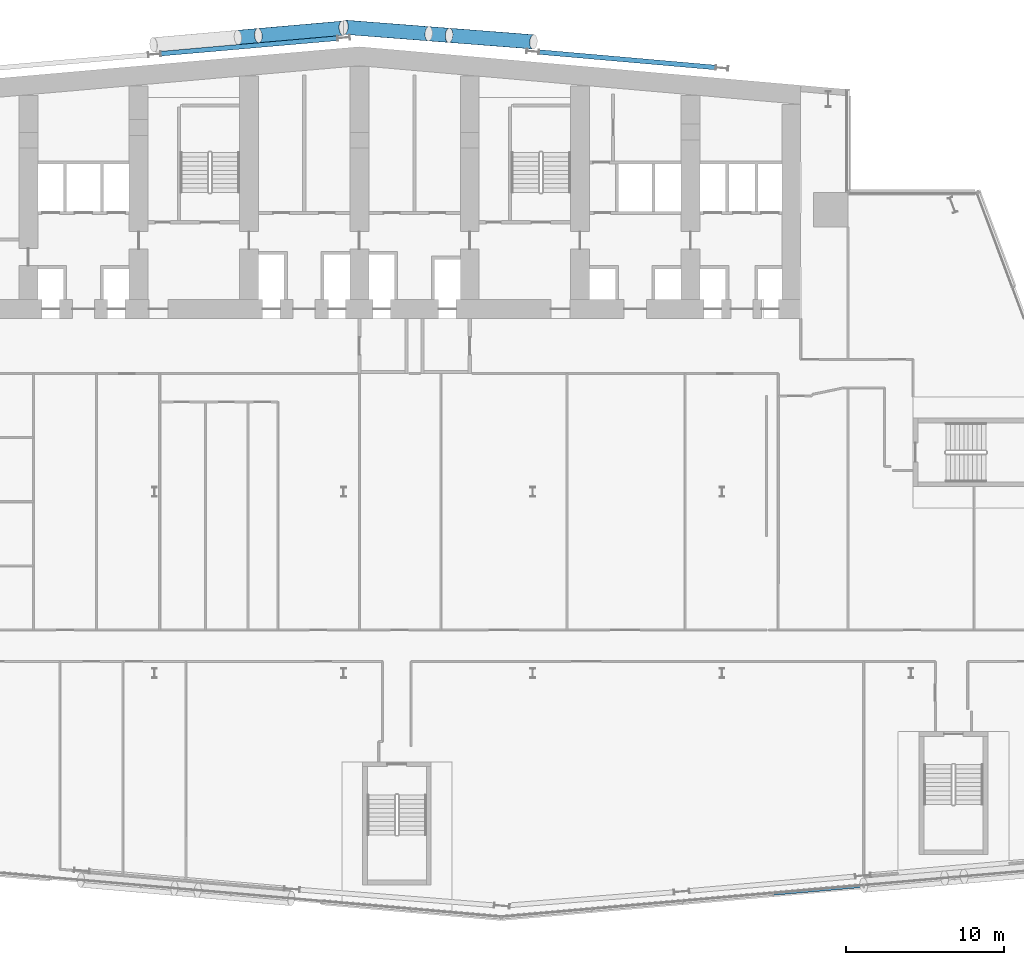
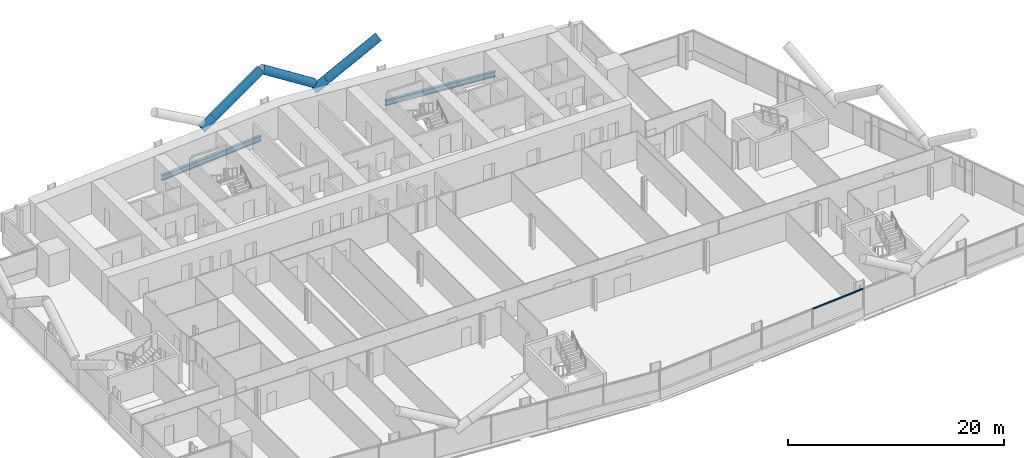
# One storey, part 8 of 27: 6 members, 2 beams, 1 element without a shape of its own.
"""IFC4 building model written with IfcOpenShell, lengths in metres."""

import ifcopenshell
import ifcopenshell.guid

model = None  # the IFC model being written
_history = None  # IfcOwnerHistory: only IFC2X3 demands one
_inside = {}  # id of a spatial element -> (the spatial element, [elements in it])
_under = {}  # id of a project, library or spatial element -> (it, [spatial elements below it])
_declared = {}  # id of a project -> (the project, [libraries it declares])
_typed = {}  # id of a type object -> (the type object, [elements of that type])
_made_of = {}  # id of a material, layer set ... -> (it, [elements and type objects made of it])


def new_model(schema):
    """Start an empty IFC model of exactly this schema.

    Asked for "IFC4X3", IfcOpenShell would pick the latest addendum, in which some entities
    have other attributes; the version numbers below select the first issue.
    IFC2X3 requires an IfcOwnerHistory on every rooted entity: one is made here for all.
    """
    global model, _history
    if schema == "IFC4X3":
        model = ifcopenshell.file(schema_version=(4, 3, 0, 0))
    else:
        model = ifcopenshell.file(schema=schema)
    _inside.clear()
    _under.clear()
    _declared.clear()
    _typed.clear()
    _made_of.clear()
    _history = None
    if model.schema == "IFC2X3":
        org = make("IfcOrganization", Name="unknown")
        user = make(
            "IfcPersonAndOrganization",
            ThePerson=make("IfcPerson", FamilyName="unknown"),
            TheOrganization=org,
        )
        app = make(
            "IfcApplication",
            ApplicationDeveloper=org,
            Version="unknown",
            ApplicationFullName="unknown",
            ApplicationIdentifier="unknown",
        )
        _history = make(
            "IfcOwnerHistory",
            OwningUser=user,
            OwningApplication=app,
            ChangeAction="ADDED",
            CreationDate=0,
        )
    return model


def make(cls, **values):
    """One entity of the class cls with the attributes given. An attribute that is None is left unset."""
    return model.create_entity(
        cls, **{name: value for name, value in values.items() if value is not None}
    )


def rooted(cls, **values):
    """An entity with a GlobalId (a new one), such as an element, a storey or a relation."""
    return make(cls, GlobalId=ifcopenshell.guid.new(), OwnerHistory=_history, **values)


def si_unit(unit_type, name, prefix=None):
    """IfcSIUnit, for example si_unit("LENGTHUNIT", "METRE", prefix="MILLI")."""
    return make("IfcSIUnit", UnitType=unit_type, Prefix=prefix, Name=name)


def assignment(units):
    """IfcUnitAssignment: the units of a project."""
    return None if units is None else make("IfcUnitAssignment", Units=units)


def point(xyz):
    """IfcCartesianPoint."""
    return None if xyz is None else make("IfcCartesianPoint", Coordinates=xyz)


def direction(xyz):
    """IfcDirection."""
    return None if xyz is None else make("IfcDirection", DirectionRatios=xyz)


def frame(location, z_axis=None, x_axis=None):
    """IfcAxis2Placement3D, a coordinate frame: its origin and axes. An axis left out is left unset."""
    return make(
        "IfcAxis2Placement3D",
        Location=point(location),
        Axis=direction(z_axis),
        RefDirection=direction(x_axis),
    )


def frame_2d(location, x_axis=None):
    """IfcAxis2Placement2D, a coordinate frame in the plane: its origin and x axis."""
    return make(
        "IfcAxis2Placement2D", Location=point(location), RefDirection=direction(x_axis)
    )


def origin():
    """The frame at (0, 0, 0) with its axes left unset."""
    return frame((0.0, 0.0, 0.0))


def origin_2d():
    """The frame at (0, 0) in the plane with its x axis left unset."""
    return frame_2d((0.0, 0.0))


def place(relative_to, where):
    """IfcLocalPlacement: puts the frame where relative to a parent placement (None: the world)."""
    return make(
        "IfcLocalPlacement", PlacementRelTo=relative_to, RelativePlacement=where
    )


def context(
    kind, dimensions, precision=None, world=None, true_north=None, identifier=None
):
    """IfcGeometricRepresentationContext, for example the 3D "Model" context."""
    return make(
        "IfcGeometricRepresentationContext",
        ContextIdentifier=identifier,
        ContextType=kind,
        CoordinateSpaceDimension=dimensions,
        Precision=precision,
        WorldCoordinateSystem=world,
        TrueNorth=true_north,
    )


def subcontext(parent, identifier, kind, view, scale=None):
    """IfcGeometricRepresentationSubContext, for example "Body" below "Model"."""
    return make(
        "IfcGeometricRepresentationSubContext",
        ContextIdentifier=identifier,
        ContextType=kind,
        ParentContext=parent,
        TargetScale=scale,
        TargetView=view,
    )


def project(units=None, contexts=None):
    """IfcProject with its units and contexts."""
    return rooted(
        "IfcProject",
        Name="project",
        RepresentationContexts=contexts,
        UnitsInContext=assignment(units),
    )


def spatial(cls, under=None, at=None, **own):
    """A site, building, storey or space (cls), placed at a placement, below another one or the project."""
    s = rooted(cls, ObjectPlacement=at, **own)
    if under is not None:
        _under.setdefault(under.id(), (under, []))[1].append(s)
    return s


def profile(cls, at=None, kind="AREA", **sizes):
    """A parametric profile (cls). Its sizes go by their IFC names, for example OverallWidth=200.0."""
    return make(cls, ProfileType=kind, Position=at, **sizes)


def rectangle(**sizes):
    """IfcRectangleProfileDef."""
    return profile("IfcRectangleProfileDef", **sizes)


def hollow_circle(**sizes):
    """IfcCircleHollowProfileDef."""
    return profile("IfcCircleHollowProfileDef", **sizes)


def i_section(**sizes):
    """IfcIShapeProfileDef."""
    return profile("IfcIShapeProfileDef", **sizes)


def extrude(swept, where, along, depth):
    """IfcExtrudedAreaSolid: the profile swept, set in the frame where, extruded along a direction by depth."""
    return make(
        "IfcExtrudedAreaSolid",
        SweptArea=swept,
        Position=where,
        ExtrudedDirection=direction(along),
        Depth=depth,
    )


def shape(context_of_items, identifier, shape_type, items):
    """IfcShapeRepresentation: the items that make up one representation, for example the "Body"."""
    return make(
        "IfcShapeRepresentation",
        ContextOfItems=context_of_items,
        RepresentationIdentifier=identifier,
        RepresentationType=shape_type,
        Items=items,
    )


def material(Name=None, Category=None):
    """IfcMaterial."""
    return make("IfcMaterial", Name=Name, Category=Category)


def material_profile(
    of_material, cross_section, Name=None, Category=None, Priority=None
):
    """IfcMaterialProfile: a cross section and its material."""
    return make(
        "IfcMaterialProfile",
        Name=Name,
        Material=of_material,
        Profile=cross_section,
        Priority=Priority,
        Category=Category,
    )


def profile_set(profiles, Name=None, composite=None):
    """IfcMaterialProfileSet."""
    return make(
        "IfcMaterialProfileSet",
        Name=Name,
        MaterialProfiles=profiles,
        CompositeProfile=composite,
    )


def made_of(thing, what):
    """Note that an element or type object is made of a material, layer set ...; save() writes the relation."""
    if what is not None:
        _made_of.setdefault(what.id(), (what, []))[1].append(thing)
    return thing


def type_object(cls, material=None, **own):
    """A type object (cls), such as IfcWallType, which elements share."""
    return made_of(rooted(cls, **own), material)


def element(
    cls,
    number,
    at=None,
    inside=None,
    cuts=None,
    type_object=None,
    material=None,
    context=None,
    identifier="Body",
    shape_type=None,
    held_by="IfcProductDefinitionShape",
    body=None,
    shapes=None,
    **own,
):
    """One element of the class cls, such as IfcWall. Its Tag is "e" and its number.

    at: its placement. inside: the storey or other place that contains it. cuts: it is an
    opening in that element (IfcRelVoidsElement). A single representation is given by context,
    identifier, shape_type and body (its items); several are given by shapes. held_by: the class
    of the entity that holds the representations. save() writes the other relations.
    """
    e = rooted(cls, Tag="e%d" % number, ObjectPlacement=at, **own)
    if body is not None:
        shapes = [shape(context, identifier, shape_type, body)]
    if shapes is not None:
        e.Representation = make(held_by, Representations=shapes)
    if inside is not None:
        _inside.setdefault(inside.id(), (inside, []))[1].append(e)
    if cuts is not None:
        rooted(
            "IfcRelVoidsElement", RelatingBuildingElement=cuts, RelatedOpeningElement=e
        )
    if type_object is not None:
        _typed.setdefault(type_object.id(), (type_object, []))[1].append(e)
    return made_of(e, material)


def aggregate(whole, parts):
    """IfcRelAggregates: a whole, such as a stair, and the parts it consists of."""
    return rooted("IfcRelAggregates", RelatingObject=whole, RelatedObjects=parts)


def save(model, path):
    """Write the relations noted so far, then the file.

    IfcRelAggregates (storeys below a building ...), IfcRelContainedInSpatialStructure (elements
    in a storey), IfcRelDefinesByType, IfcRelAssociatesMaterial and IfcRelDeclares: one each for
    every whole, place, type object, material and project.
    """
    for whole, parts in _under.values():
        aggregate(whole, parts)
    for where, things in _inside.values():
        rooted(
            "IfcRelContainedInSpatialStructure",
            RelatedElements=things,
            RelatingStructure=where,
        )
    for kind, things in _typed.values():
        rooted("IfcRelDefinesByType", RelatedObjects=things, RelatingType=kind)
    for what, things in _made_of.values():
        rooted("IfcRelAssociatesMaterial", RelatedObjects=things, RelatingMaterial=what)
    for by, libraries in _declared.values():
        rooted("IfcRelDeclares", RelatingContext=by, RelatedDefinitions=libraries)
    model.write(path)


model = new_model("IFC4")

# Units and contexts
model_context = context("Model", 3, precision=1e-05, world=origin(), true_north=direction((0.0, 1.0)))
body_context = subcontext(model_context, "Body", "Model", "MODEL_VIEW")
ifc_project = project(units=[si_unit("LENGTHUNIT", "METRE"), si_unit("AREAUNIT", "SQUARE_METRE"), si_unit("VOLUMEUNIT", "CUBIC_METRE"), si_unit("PLANEANGLEUNIT", "RADIAN"), si_unit("MASSUNIT", "GRAM", prefix="KILO")], contexts=[model_context])

# Site, building, storey
site_placement = place(None, origin())
site = spatial("IfcSite", under=ifc_project, at=site_placement, CompositionType="ELEMENT")
building_placement = place(site_placement, origin())
building = spatial("IfcBuilding", under=site, at=building_placement, Name="Wharfspan Tower", CompositionType="ELEMENT")
storey_placement = place(building_placement, frame((0.0, 0.0, 48.699951)))
storey = spatial("IfcBuildingStorey", under=building, at=storey_placement, Name="L08", CompositionType="ELEMENT", Elevation=48.699951)

# Members
ifc_material_1 = material(Name="Steel S460NH", Category="steel")
ifc_material_profile_1 = material_profile(ifc_material_1, hollow_circle(Radius=0.457031, WallThickness=0.040039, at=origin_2d()))
ifc_profile_set_1 = profile_set([ifc_material_profile_1], Name="Steel S460NH")
member_type_1 = type_object("IfcMemberType", Name="Brace node tie CHS 914x40", PredefinedType="STRUT", material=ifc_profile_set_1)
member_1_placement = place(storey_placement, frame((29.30542, 51.831787, 2.514893), z_axis=(0.855076, 0.074807, 0.513078), x_axis=(-0.087153, 0.996196, 0.0)))
element("IfcMember", 1, at=member_1_placement, inside=storey, type_object=member_type_1, Name="Brace node tie L08 N7", PredefinedType="STRUT", context=body_context, shape_type="SweptSolid", body=[
    extrude(hollow_circle(Radius=0.457031, WallThickness=0.040039, at=origin_2d()), origin(), (0.0, 0.0, 1.0), 1.501221),
])
member_2_placement = place(storey_placement, frame((41.405029, 52.060059, 2.515137), z_axis=(0.855527, -0.066423, 0.513479), x_axis=(0.077408, 0.996998, -2e-06)))
element("IfcMember", 2, at=member_2_placement, inside=storey, type_object=member_type_1, Name="Brace node tie L08 N8", PredefinedType="STRUT", context=body_context, shape_type="SweptSolid", body=[
    extrude(hollow_circle(Radius=0.457031, WallThickness=0.040039, at=origin_2d()), origin(), (0.0, 0.0, 1.0), 1.499512),
])

# Beams
ifc_material_2 = material(Name="Steel S355J2", Category="steel")
ifc_material_profile_2 = material_profile(ifc_material_2, i_section(OverallWidth=0.300049, OverallDepth=0.600098, WebThickness=0.015381, FlangeThickness=0.030029, FilletRadius=0.0271, at=origin_2d()))
ifc_profile_set_2 = profile_set([ifc_material_profile_2], Name="Steel S355J2")
beam_type = type_object("IfcBeamType", Name="Edge beam HEB 600", PredefinedType="SPANDREL", material=ifc_profile_set_2)
for number, where, z_axis, x_axis, name in (
    (3, (59.598633, 49.919922, -0.699951), (-0.996194, 0.087165, 0.0), (-0.087165, -0.996194, 0.0), "Edge beam N2 L08 R.5 to R.4"),
    (4, (35.598633, 51.774414, -0.699951), (-0.996196, -0.087143, 0.0), (0.087143, -0.996196, 0.0), "Edge beam N1 L08 R.3 to R.2"),
):
    element("IfcBeam", number, at=place(storey_placement, frame(where, z_axis=z_axis, x_axis=x_axis)), inside=storey, type_object=beam_type, Name=name, PredefinedType="SPANDREL", context=body_context, shape_type="SweptSolid", body=[
        extrude(i_section(OverallWidth=0.300049, OverallDepth=0.600098, WebThickness=0.015381, FlangeThickness=0.030029, FilletRadius=0.0271, at=origin_2d()), origin(), (0.0, 0.0, 1.0), 11.23999),
    ])

# Members
ifc_material_profile_3 = material_profile(ifc_material_1, hollow_circle(Radius=0.457031, WallThickness=0.040039, at=origin_2d()))
ifc_profile_set_3 = profile_set([ifc_material_profile_3], Name="Steel S460NH")
member_type_2 = type_object("IfcMemberType", Name="Mega brace CHS 914x40", PredefinedType="BRACE", material=ifc_profile_set_3)
member_3_placement = place(storey_placement, frame((30.597656, 51.944824, 3.290283), z_axis=(0.855094, 0.074809, 0.513048), x_axis=(-0.087154, 0.996195, 1e-06)))
element("IfcMember", 5, at=member_3_placement, inside=storey, type_object=member_type_2, Name="Mega brace N7 L08 part 2", PredefinedType="BRACE", context=body_context, shape_type="SweptSolid", body=[
    extrude(hollow_circle(Radius=0.457031, WallThickness=0.040039, at=origin_2d()), origin(), (0.0, 0.0, 1.0), 6.256104),
])
for number, where, z_axis, x_axis, name in (
    (6, (42.696533, 51.959961, 3.290283), (0.855527, -0.066474, 0.513473), (0.077466, 0.996995, 0.0), "Mega brace N8 L08 part 2"),
    (7, (41.396484, 52.060791, 3.290283), (-0.855527, 0.066474, 0.513473), (-0.077466, -0.996995, 0.0), "Mega brace N8 L08 part 4"),
):
    element("IfcMember", number, at=place(storey_placement, frame(where, z_axis=z_axis, x_axis=x_axis)), inside=storey, type_object=member_type_2, Name=name, PredefinedType="BRACE", context=body_context, shape_type="SweptSolid", body=[
        extrude(hollow_circle(Radius=0.457031, WallThickness=0.040039, at=origin_2d()), origin(), (0.0, 0.0, 1.0), 6.250977),
    ])

# Curtain wall, member
ifc_material_3 = material(Name="Aluminium 6063-T6", Category="aluminium")
curtain_wall_type = type_object("IfcCurtainWallType", Name="CURTAIN WALL FACETED FRONT", PredefinedType="NOTDEFINED", material=ifc_material_3)
curtain_wall_placement = place(storey_placement, origin())
curtain_wall = element("IfcCurtainWall", 8, at=curtain_wall_placement, inside=storey, type_object=curtain_wall_type, Name="Curtain wall S2", PredefinedType="NOTDEFINED")
ifc_material_profile_4 = material_profile(ifc_material_3, rectangle(XDim=0.159912, YDim=0.080078, at=origin_2d()))
ifc_profile_set_4 = profile_set([ifc_material_profile_4], Name="Aluminium 6063-T6")
member_type_3 = type_object("IfcMemberType", Name="TRANSOM FACETED FRONT 80x160", PredefinedType="USERDEFINED", material=ifc_profile_set_4)
member_4_placement = place(storey_placement, frame((63.279785, -2.512695, 3.160156), z_axis=(0.996195, 0.087148, 0.0), x_axis=(-0.087148, 0.996195, 0.0)))
member_4 = element("IfcMember", 9, at=member_4_placement, type_object=member_type_3, Name="Curtain wall S2 transom 4", ObjectType="TRANSOM", PredefinedType="USERDEFINED", context=body_context, shape_type="SweptSolid", body=[
    extrude(rectangle(XDim=0.159912, YDim=0.080078, at=origin_2d()), origin(), (0.0, 0.0, 1.0), 5.712158),
])
aggregate(curtain_wall, [member_4])

save(model, "model.ifc")
